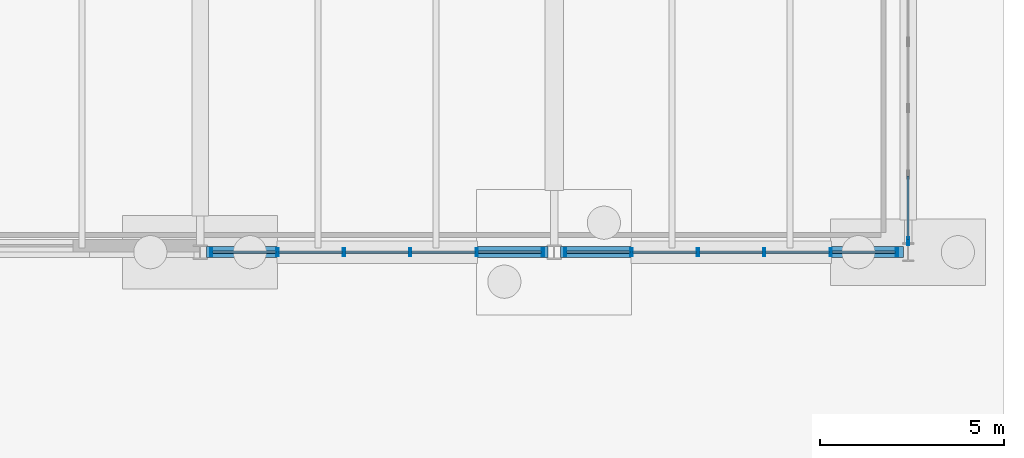
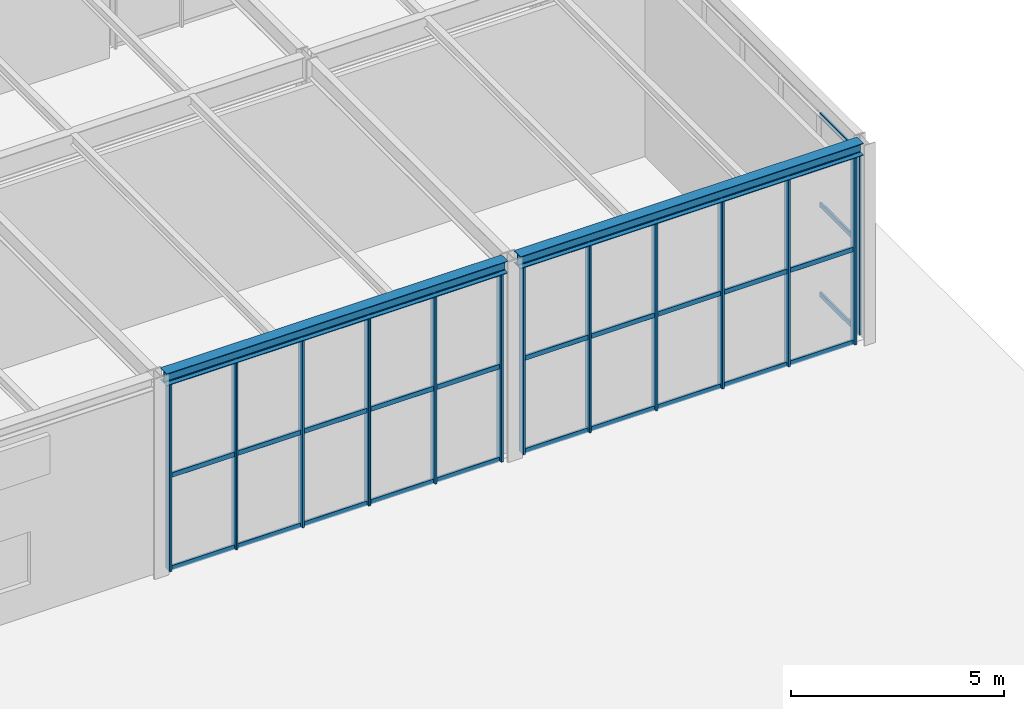
# One storey, part 95 of 142: 46 members, 2 beams, 3 elements without a shape of their own.
"""IFC4 building model written with IfcOpenShell, lengths in metres."""

from ifc_helpers import new_model, si_unit, direction, frame, origin, origin_2d, place, context, subcontext, project, spatial, hollow_rectangle, i_section, extrude, material, material_profile, profile_set, type_object, element, aggregate, save


model = new_model("IFC4")

# Units and contexts
model_context = context("Model", 3, precision=1e-05, world=origin(), true_north=direction((0.0, 1.0)))
body_context = subcontext(model_context, "Body", "Model", "MODEL_VIEW")
ifc_project = project(units=[si_unit("LENGTHUNIT", "METRE"), si_unit("AREAUNIT", "SQUARE_METRE"), si_unit("VOLUMEUNIT", "CUBIC_METRE"), si_unit("PLANEANGLEUNIT", "RADIAN"), si_unit("MASSUNIT", "GRAM", prefix="KILO")], contexts=[model_context])

# Site, building, storey
site_placement = place(None, origin())
site = spatial("IfcSite", under=ifc_project, at=site_placement, CompositionType="ELEMENT")
building_placement = place(site_placement, origin())
building = spatial("IfcBuilding", under=site, at=building_placement, Name="Coralgate Yard Interchange", CompositionType="ELEMENT")
storey_placement = place(building_placement, origin())
storey = spatial("IfcBuildingStorey", under=building, at=storey_placement, Name="L00", CompositionType="ELEMENT", Elevation=0.0)

# Beams
ifc_material_1 = material(Name="Structural steel S355J2", Category="steel")
ifc_material_profile_1 = material_profile(ifc_material_1, i_section(OverallWidth=0.300048828125, OverallDepth=0.35009765625, WebThickness=0.010009765625, FlangeThickness=0.017578125, FilletRadius=0.027099609375, at=origin_2d()), Name="HEA 360")
ifc_profile_set_1 = profile_set([ifc_material_profile_1], Name="Structural steel S355J2")
beam_type = type_object("IfcBeamType", Name="BM-SP-1", PredefinedType="SPANDREL", material=ifc_profile_set_1)
beam_1_placement = place(storey_placement, frame((163.369384765625, 76.800048828125, 5.574951171875), z_axis=(1.0, 0.0, 0.0), x_axis=(0.0, 1.0, 0.0)))
element("IfcBeam", 1, at=beam_1_placement, inside=storey, type_object=beam_type, Name="L00 primary grid beam Y8 X17-18", PredefinedType="SPANDREL", context=body_context, shape_type="SweptSolid", body=[
    extrude(i_section(OverallWidth=0.300048828125, OverallDepth=0.35009765625, WebThickness=0.010009765625, FlangeThickness=0.017578125, FilletRadius=0.027099609375, at=origin_2d()), origin(), (0.0, 0.0, 1.0), 9.26123046875),
])
beam_2_placement = place(storey_placement, frame((172.969482421875, 76.800048828125, 5.574951171875), z_axis=(1.0, 0.0, 0.0), x_axis=(0.0, 1.0, 0.0)))
element("IfcBeam", 2, at=beam_2_placement, inside=storey, type_object=beam_type, Name="L00 primary grid beam Y8 X18-19", PredefinedType="SPANDREL", context=body_context, shape_type="SweptSolid", body=[
    extrude(i_section(OverallWidth=0.300048828125, OverallDepth=0.35009765625, WebThickness=0.010009765625, FlangeThickness=0.017578125, FilletRadius=0.027099609375, at=origin_2d()), origin(), (0.0, 0.0, 1.0), 9.310546875),
])

# Curtain wall, members
ifc_material_2 = material(Name="Anodised coastal aluminium and solar-control low-E glass", Category="aluminium")
curtain_wall_type_1 = type_object("IfcCurtainWallType", Name="CW-CW-L00-B", PredefinedType="NOTDEFINED", material=ifc_material_2)
curtain_wall_1_placement = place(storey_placement, origin())
curtain_wall_1 = element("IfcCurtainWall", 3, at=curtain_wall_1_placement, inside=storey, type_object=curtain_wall_type_1, Name="L00 unitised curtain wall CW-L00-S-17-08", PredefinedType="NOTDEFINED")
ifc_material_3 = material(Name="Anodised coastal aluminium 6063-T6", Category="aluminium")
ifc_material_profile_2 = material_profile(ifc_material_3, hollow_rectangle(XDim=0.06005859375, YDim=0.219970703125, WallThickness=0.00390625, InnerFilletRadius=0.00390625, OuterFilletRadius=0.008056640625, at=origin_2d()), Name="ALU 60x220x4")
ifc_profile_set_2 = profile_set([ifc_material_profile_2], Name="Anodised coastal aluminium 6063-T6")
member_type_1 = type_object("IfcMemberType", Name="MB-MUL-220", PredefinedType="MULLION", material=ifc_profile_set_2)
member_1_placement = place(storey_placement, frame((172.5, 76.800048828125, 0.0), z_axis=(0.0, 0.0, 1.0), x_axis=(1.0, 0.0, 0.0)))
member_1 = element("IfcMember", 4, at=member_1_placement, type_object=member_type_1, Name="CW-L00-S-17-08 vertical mullion 1", PredefinedType="MULLION", context=body_context, shape_type="SweptSolid", body=[
    extrude(hollow_rectangle(XDim=0.06005859375, YDim=0.219970703125, WallThickness=0.00390625, InnerFilletRadius=0.00390625, OuterFilletRadius=0.008056640625, at=origin_2d()), origin(), (0.0, 0.0, 1.0), 5.39990234375),
])
member_2_placement = place(storey_placement, frame((170.699951171875, 76.800048828125, 0.0), z_axis=(0.0, 0.0, 1.0), x_axis=(1.0, 0.0, 0.0)))
member_2 = element("IfcMember", 5, at=member_2_placement, type_object=member_type_1, Name="CW-L00-S-17-08 vertical mullion 2", PredefinedType="MULLION", context=body_context, shape_type="SweptSolid", body=[
    extrude(hollow_rectangle(XDim=0.06005859375, YDim=0.219970703125, WallThickness=0.00390625, InnerFilletRadius=0.00390625, OuterFilletRadius=0.008056640625, at=origin_2d()), origin(), (0.0, 0.0, 1.0), 5.39990234375),
])
member_3_placement = place(storey_placement, frame((168.89990234375, 76.800048828125, 0.0), z_axis=(0.0, 0.0, 1.0), x_axis=(1.0, 0.0, 0.0)))
member_3 = element("IfcMember", 6, at=member_3_placement, type_object=member_type_1, Name="CW-L00-S-17-08 vertical mullion 3", PredefinedType="MULLION", context=body_context, shape_type="SweptSolid", body=[
    extrude(hollow_rectangle(XDim=0.06005859375, YDim=0.219970703125, WallThickness=0.00390625, InnerFilletRadius=0.00390625, OuterFilletRadius=0.008056640625, at=origin_2d()), origin(), (0.0, 0.0, 1.0), 5.39990234375),
])
member_4_placement = place(storey_placement, frame((167.10009765625, 76.800048828125, 0.0), z_axis=(0.0, 0.0, 1.0), x_axis=(1.0, 0.0, 0.0)))
member_4 = element("IfcMember", 7, at=member_4_placement, type_object=member_type_1, Name="CW-L00-S-17-08 vertical mullion 4", PredefinedType="MULLION", context=body_context, shape_type="SweptSolid", body=[
    extrude(hollow_rectangle(XDim=0.06005859375, YDim=0.219970703125, WallThickness=0.00390625, InnerFilletRadius=0.00390625, OuterFilletRadius=0.008056640625, at=origin_2d()), origin(), (0.0, 0.0, 1.0), 5.39990234375),
])
member_5_placement = place(storey_placement, frame((165.300048828125, 76.800048828125, 0.0), z_axis=(0.0, 0.0, 1.0), x_axis=(1.0, 0.0, 0.0)))
member_5 = element("IfcMember", 8, at=member_5_placement, type_object=member_type_1, Name="CW-L00-S-17-08 vertical mullion 5", PredefinedType="MULLION", context=body_context, shape_type="SweptSolid", body=[
    extrude(hollow_rectangle(XDim=0.06005859375, YDim=0.219970703125, WallThickness=0.00390625, InnerFilletRadius=0.00390625, OuterFilletRadius=0.008056640625, at=origin_2d()), origin(), (0.0, 0.0, 1.0), 5.39990234375),
])
member_6_placement = place(storey_placement, frame((163.5, 76.800048828125, 0.0), z_axis=(0.0, 0.0, 1.0), x_axis=(1.0, 0.0, 0.0)))
member_6 = element("IfcMember", 9, at=member_6_placement, type_object=member_type_1, Name="CW-L00-S-17-08 vertical mullion 6", PredefinedType="MULLION", context=body_context, shape_type="SweptSolid", body=[
    extrude(hollow_rectangle(XDim=0.06005859375, YDim=0.219970703125, WallThickness=0.00390625, InnerFilletRadius=0.00390625, OuterFilletRadius=0.008056640625, at=origin_2d()), origin(), (0.0, 0.0, 1.0), 5.39990234375),
])

curtain_wall_type_2 = type_object("IfcCurtainWallType", Name="CW-CW-L00-A", PredefinedType="NOTDEFINED", material=ifc_material_2)
curtain_wall_2_placement = place(storey_placement, origin())
curtain_wall_2 = element("IfcCurtainWall", 10, at=curtain_wall_2_placement, inside=storey, type_object=curtain_wall_type_2, Name="L00 unitised curtain wall CW-L00-S-18-08", PredefinedType="NOTDEFINED")
member_7_placement = place(storey_placement, frame((182.10009765625, 76.800048828125, 0.0), z_axis=(0.0, 0.0, 1.0), x_axis=(1.0, 0.0, 0.0)))
member_7 = element("IfcMember", 11, at=member_7_placement, type_object=member_type_1, Name="CW-L00-S-18-08 vertical mullion 1", PredefinedType="MULLION", context=body_context, shape_type="SweptSolid", body=[
    extrude(hollow_rectangle(XDim=0.06005859375, YDim=0.219970703125, WallThickness=0.00390625, InnerFilletRadius=0.00390625, OuterFilletRadius=0.008056640625, at=origin_2d()), origin(), (0.0, 0.0, 1.0), 5.39990234375),
])
member_8_placement = place(storey_placement, frame((180.300048828125, 76.800048828125, 0.0), z_axis=(0.0, 0.0, 1.0), x_axis=(1.0, 0.0, 0.0)))
member_8 = element("IfcMember", 12, at=member_8_placement, type_object=member_type_1, Name="CW-L00-S-18-08 vertical mullion 2", PredefinedType="MULLION", context=body_context, shape_type="SweptSolid", body=[
    extrude(hollow_rectangle(XDim=0.06005859375, YDim=0.219970703125, WallThickness=0.00390625, InnerFilletRadius=0.00390625, OuterFilletRadius=0.008056640625, at=origin_2d()), origin(), (0.0, 0.0, 1.0), 5.39990234375),
])
member_9_placement = place(storey_placement, frame((178.5, 76.800048828125, 0.0), z_axis=(0.0, 0.0, 1.0), x_axis=(1.0, 0.0, 0.0)))
member_9 = element("IfcMember", 13, at=member_9_placement, type_object=member_type_1, Name="CW-L00-S-18-08 vertical mullion 3", PredefinedType="MULLION", context=body_context, shape_type="SweptSolid", body=[
    extrude(hollow_rectangle(XDim=0.06005859375, YDim=0.219970703125, WallThickness=0.00390625, InnerFilletRadius=0.00390625, OuterFilletRadius=0.008056640625, at=origin_2d()), origin(), (0.0, 0.0, 1.0), 5.39990234375),
])
member_10_placement = place(storey_placement, frame((176.699951171875, 76.800048828125, 0.0), z_axis=(0.0, 0.0, 1.0), x_axis=(1.0, 0.0, 0.0)))
member_10 = element("IfcMember", 14, at=member_10_placement, type_object=member_type_1, Name="CW-L00-S-18-08 vertical mullion 4", PredefinedType="MULLION", context=body_context, shape_type="SweptSolid", body=[
    extrude(hollow_rectangle(XDim=0.06005859375, YDim=0.219970703125, WallThickness=0.00390625, InnerFilletRadius=0.00390625, OuterFilletRadius=0.008056640625, at=origin_2d()), origin(), (0.0, 0.0, 1.0), 5.39990234375),
])
member_11_placement = place(storey_placement, frame((174.89990234375, 76.800048828125, 0.0), z_axis=(0.0, 0.0, 1.0), x_axis=(1.0, 0.0, 0.0)))
member_11 = element("IfcMember", 15, at=member_11_placement, type_object=member_type_1, Name="CW-L00-S-18-08 vertical mullion 5", PredefinedType="MULLION", context=body_context, shape_type="SweptSolid", body=[
    extrude(hollow_rectangle(XDim=0.06005859375, YDim=0.219970703125, WallThickness=0.00390625, InnerFilletRadius=0.00390625, OuterFilletRadius=0.008056640625, at=origin_2d()), origin(), (0.0, 0.0, 1.0), 5.39990234375),
])
member_12_placement = place(storey_placement, frame((173.10009765625, 76.800048828125, 0.0), z_axis=(0.0, 0.0, 1.0), x_axis=(1.0, 0.0, 0.0)))
member_12 = element("IfcMember", 16, at=member_12_placement, type_object=member_type_1, Name="CW-L00-S-18-08 vertical mullion 6", PredefinedType="MULLION", context=body_context, shape_type="SweptSolid", body=[
    extrude(hollow_rectangle(XDim=0.06005859375, YDim=0.219970703125, WallThickness=0.00390625, InnerFilletRadius=0.00390625, OuterFilletRadius=0.008056640625, at=origin_2d()), origin(), (0.0, 0.0, 1.0), 5.39990234375),
])

# Curtain wall, member
curtain_wall_3_placement = place(storey_placement, origin())
curtain_wall_3 = element("IfcCurtainWall", 17, at=curtain_wall_3_placement, inside=storey, type_object=curtain_wall_type_1, Name="L00 unitised curtain wall CW-L00-E-18-08", PredefinedType="NOTDEFINED")
member_13_placement = place(storey_placement, frame((182.39990234375, 77.10009765625, 0.0), z_axis=(0.0, 0.0, 1.0), x_axis=(1.0, 0.0, 0.0)))
member_13 = element("IfcMember", 18, at=member_13_placement, type_object=member_type_1, Name="CW-L00-E-18-08 vertical mullion 6", PredefinedType="MULLION", context=body_context, shape_type="SweptSolid", body=[
    extrude(hollow_rectangle(XDim=0.06005859375, YDim=0.219970703125, WallThickness=0.00390625, InnerFilletRadius=0.00390625, OuterFilletRadius=0.008056640625, at=origin_2d()), origin(), (0.0, 0.0, 1.0), 5.216796875),
])

# Member
ifc_material_profile_3 = material_profile(ifc_material_3, hollow_rectangle(XDim=0.06005859375, YDim=0.139892578125, WallThickness=0.00341796875, InnerFilletRadius=0.00341796875, OuterFilletRadius=0.007080078125, at=origin_2d()), Name="ALU 60x140x3.5")
ifc_profile_set_3 = profile_set([ifc_material_profile_3], Name="Anodised coastal aluminium 6063-T6")
member_type_2 = type_object("IfcMemberType", Name="MB-TRN-140", PredefinedType="USERDEFINED", material=ifc_profile_set_3)
member_14_placement = place(storey_placement, frame((172.469970703125, 76.800048828125, 0.034912109375), z_axis=(-1.0, 0.0, 0.0), x_axis=(0.0, -1.0, 0.0)))
member_14 = element("IfcMember", 19, at=member_14_placement, type_object=member_type_2, Name="CW-L00-S-17-08 horizontal transom 1-1", ObjectType="TRANSOM", PredefinedType="USERDEFINED", context=body_context, shape_type="SweptSolid", body=[
    extrude(hollow_rectangle(XDim=0.06005859375, YDim=0.139892578125, WallThickness=0.00341796875, InnerFilletRadius=0.00341796875, OuterFilletRadius=0.007080078125, at=origin_2d()), origin(), (0.0, 0.0, 1.0), 1.739990234375),
])

member_15_placement = place(storey_placement, frame((172.469970703125, 76.800048828125, 2.699951171875), z_axis=(-1.0, 0.0, 0.0), x_axis=(0.0, -1.0, 0.0)))
member_15 = element("IfcMember", 20, at=member_15_placement, type_object=member_type_2, Name="CW-L00-S-17-08 horizontal transom 1-2", ObjectType="TRANSOM", PredefinedType="USERDEFINED", context=body_context, shape_type="SweptSolid", body=[
    extrude(hollow_rectangle(XDim=0.06005859375, YDim=0.139892578125, WallThickness=0.00341796875, InnerFilletRadius=0.00341796875, OuterFilletRadius=0.007080078125, at=origin_2d()), origin(), (0.0, 0.0, 1.0), 1.739990234375),
])

member_16_placement = place(storey_placement, frame((172.469970703125, 76.800048828125, 5.364990234375), z_axis=(-1.0, 0.0, 0.0), x_axis=(0.0, -1.0, 0.0)))
member_16 = element("IfcMember", 21, at=member_16_placement, type_object=member_type_2, Name="CW-L00-S-17-08 horizontal transom 1-3", ObjectType="TRANSOM", PredefinedType="USERDEFINED", context=body_context, shape_type="SweptSolid", body=[
    extrude(hollow_rectangle(XDim=0.06005859375, YDim=0.139892578125, WallThickness=0.00341796875, InnerFilletRadius=0.00341796875, OuterFilletRadius=0.007080078125, at=origin_2d()), origin(), (0.0, 0.0, 1.0), 1.739990234375),
])

member_17_placement = place(storey_placement, frame((170.669921875, 76.800048828125, 0.034912109375), z_axis=(-1.0, 0.0, 0.0), x_axis=(0.0, -1.0, 0.0)))
member_17 = element("IfcMember", 22, at=member_17_placement, type_object=member_type_2, Name="CW-L00-S-17-08 horizontal transom 2-1", ObjectType="TRANSOM", PredefinedType="USERDEFINED", context=body_context, shape_type="SweptSolid", body=[
    extrude(hollow_rectangle(XDim=0.06005859375, YDim=0.139892578125, WallThickness=0.00341796875, InnerFilletRadius=0.00341796875, OuterFilletRadius=0.007080078125, at=origin_2d()), origin(), (0.0, 0.0, 1.0), 1.739990234375),
])

member_18_placement = place(storey_placement, frame((170.669921875, 76.800048828125, 2.699951171875), z_axis=(-1.0, 0.0, 0.0), x_axis=(0.0, -1.0, 0.0)))
member_18 = element("IfcMember", 23, at=member_18_placement, type_object=member_type_2, Name="CW-L00-S-17-08 horizontal transom 2-2", ObjectType="TRANSOM", PredefinedType="USERDEFINED", context=body_context, shape_type="SweptSolid", body=[
    extrude(hollow_rectangle(XDim=0.06005859375, YDim=0.139892578125, WallThickness=0.00341796875, InnerFilletRadius=0.00341796875, OuterFilletRadius=0.007080078125, at=origin_2d()), origin(), (0.0, 0.0, 1.0), 1.739990234375),
])

member_19_placement = place(storey_placement, frame((170.669921875, 76.800048828125, 5.364990234375), z_axis=(-1.0, 0.0, 0.0), x_axis=(0.0, -1.0, 0.0)))
member_19 = element("IfcMember", 24, at=member_19_placement, type_object=member_type_2, Name="CW-L00-S-17-08 horizontal transom 2-3", ObjectType="TRANSOM", PredefinedType="USERDEFINED", context=body_context, shape_type="SweptSolid", body=[
    extrude(hollow_rectangle(XDim=0.06005859375, YDim=0.139892578125, WallThickness=0.00341796875, InnerFilletRadius=0.00341796875, OuterFilletRadius=0.007080078125, at=origin_2d()), origin(), (0.0, 0.0, 1.0), 1.739990234375),
])

member_20_placement = place(storey_placement, frame((168.8701171875, 76.800048828125, 0.034912109375), z_axis=(-1.0, 0.0, 0.0), x_axis=(0.0, -1.0, 0.0)))
member_20 = element("IfcMember", 25, at=member_20_placement, type_object=member_type_2, Name="CW-L00-S-17-08 horizontal transom 3-1", ObjectType="TRANSOM", PredefinedType="USERDEFINED", context=body_context, shape_type="SweptSolid", body=[
    extrude(hollow_rectangle(XDim=0.06005859375, YDim=0.139892578125, WallThickness=0.00341796875, InnerFilletRadius=0.00341796875, OuterFilletRadius=0.007080078125, at=origin_2d()), origin(), (0.0, 0.0, 1.0), 1.740234375),
])

member_21_placement = place(storey_placement, frame((168.8701171875, 76.800048828125, 2.699951171875), z_axis=(-1.0, 0.0, 0.0), x_axis=(0.0, -1.0, 0.0)))
member_21 = element("IfcMember", 26, at=member_21_placement, type_object=member_type_2, Name="CW-L00-S-17-08 horizontal transom 3-2", ObjectType="TRANSOM", PredefinedType="USERDEFINED", context=body_context, shape_type="SweptSolid", body=[
    extrude(hollow_rectangle(XDim=0.06005859375, YDim=0.139892578125, WallThickness=0.00341796875, InnerFilletRadius=0.00341796875, OuterFilletRadius=0.007080078125, at=origin_2d()), origin(), (0.0, 0.0, 1.0), 1.740234375),
])

member_22_placement = place(storey_placement, frame((168.8701171875, 76.800048828125, 5.364990234375), z_axis=(-1.0, 0.0, 0.0), x_axis=(0.0, -1.0, 0.0)))
member_22 = element("IfcMember", 27, at=member_22_placement, type_object=member_type_2, Name="CW-L00-S-17-08 horizontal transom 3-3", ObjectType="TRANSOM", PredefinedType="USERDEFINED", context=body_context, shape_type="SweptSolid", body=[
    extrude(hollow_rectangle(XDim=0.06005859375, YDim=0.139892578125, WallThickness=0.00341796875, InnerFilletRadius=0.00341796875, OuterFilletRadius=0.007080078125, at=origin_2d()), origin(), (0.0, 0.0, 1.0), 1.740234375),
])

member_23_placement = place(storey_placement, frame((167.070068359375, 76.800048828125, 0.034912109375), z_axis=(-1.0, 0.0, 0.0), x_axis=(0.0, -1.0, 0.0)))
member_23 = element("IfcMember", 28, at=member_23_placement, type_object=member_type_2, Name="CW-L00-S-17-08 horizontal transom 4-1", ObjectType="TRANSOM", PredefinedType="USERDEFINED", context=body_context, shape_type="SweptSolid", body=[
    extrude(hollow_rectangle(XDim=0.06005859375, YDim=0.139892578125, WallThickness=0.00341796875, InnerFilletRadius=0.00341796875, OuterFilletRadius=0.007080078125, at=origin_2d()), origin(), (0.0, 0.0, 1.0), 1.739990234375),
])

member_24_placement = place(storey_placement, frame((167.070068359375, 76.800048828125, 2.699951171875), z_axis=(-1.0, 0.0, 0.0), x_axis=(0.0, -1.0, 0.0)))
member_24 = element("IfcMember", 29, at=member_24_placement, type_object=member_type_2, Name="CW-L00-S-17-08 horizontal transom 4-2", ObjectType="TRANSOM", PredefinedType="USERDEFINED", context=body_context, shape_type="SweptSolid", body=[
    extrude(hollow_rectangle(XDim=0.06005859375, YDim=0.139892578125, WallThickness=0.00341796875, InnerFilletRadius=0.00341796875, OuterFilletRadius=0.007080078125, at=origin_2d()), origin(), (0.0, 0.0, 1.0), 1.739990234375),
])

member_25_placement = place(storey_placement, frame((167.070068359375, 76.800048828125, 5.364990234375), z_axis=(-1.0, 0.0, 0.0), x_axis=(0.0, -1.0, 0.0)))
member_25 = element("IfcMember", 30, at=member_25_placement, type_object=member_type_2, Name="CW-L00-S-17-08 horizontal transom 4-3", ObjectType="TRANSOM", PredefinedType="USERDEFINED", context=body_context, shape_type="SweptSolid", body=[
    extrude(hollow_rectangle(XDim=0.06005859375, YDim=0.139892578125, WallThickness=0.00341796875, InnerFilletRadius=0.00341796875, OuterFilletRadius=0.007080078125, at=origin_2d()), origin(), (0.0, 0.0, 1.0), 1.739990234375),
])

member_26_placement = place(storey_placement, frame((165.27001953125, 76.800048828125, 0.034912109375), z_axis=(-1.0, 0.0, 0.0), x_axis=(0.0, -1.0, 0.0)))
member_26 = element("IfcMember", 31, at=member_26_placement, type_object=member_type_2, Name="CW-L00-S-17-08 horizontal transom 5-1", ObjectType="TRANSOM", PredefinedType="USERDEFINED", context=body_context, shape_type="SweptSolid", body=[
    extrude(hollow_rectangle(XDim=0.06005859375, YDim=0.139892578125, WallThickness=0.00341796875, InnerFilletRadius=0.00341796875, OuterFilletRadius=0.007080078125, at=origin_2d()), origin(), (0.0, 0.0, 1.0), 1.739990234375),
])

member_27_placement = place(storey_placement, frame((165.27001953125, 76.800048828125, 2.699951171875), z_axis=(-1.0, 0.0, 0.0), x_axis=(0.0, -1.0, 0.0)))
member_27 = element("IfcMember", 32, at=member_27_placement, type_object=member_type_2, Name="CW-L00-S-17-08 horizontal transom 5-2", ObjectType="TRANSOM", PredefinedType="USERDEFINED", context=body_context, shape_type="SweptSolid", body=[
    extrude(hollow_rectangle(XDim=0.06005859375, YDim=0.139892578125, WallThickness=0.00341796875, InnerFilletRadius=0.00341796875, OuterFilletRadius=0.007080078125, at=origin_2d()), origin(), (0.0, 0.0, 1.0), 1.739990234375),
])

member_28_placement = place(storey_placement, frame((165.27001953125, 76.800048828125, 5.364990234375), z_axis=(-1.0, 0.0, 0.0), x_axis=(0.0, -1.0, 0.0)))
member_28 = element("IfcMember", 33, at=member_28_placement, type_object=member_type_2, Name="CW-L00-S-17-08 horizontal transom 5-3", ObjectType="TRANSOM", PredefinedType="USERDEFINED", context=body_context, shape_type="SweptSolid", body=[
    extrude(hollow_rectangle(XDim=0.06005859375, YDim=0.139892578125, WallThickness=0.00341796875, InnerFilletRadius=0.00341796875, OuterFilletRadius=0.007080078125, at=origin_2d()), origin(), (0.0, 0.0, 1.0), 1.739990234375),
])

aggregate(curtain_wall_1, [member_1, member_2, member_3, member_4, member_5, member_6, member_14, member_15, member_16, member_17, member_18, member_19, member_20, member_21, member_22, member_23, member_24, member_25, member_26, member_27, member_28])

member_29_placement = place(storey_placement, frame((182.070068359375, 76.800048828125, 0.034912109375), z_axis=(-1.0, 0.0, 0.0), x_axis=(0.0, -1.0, 0.0)))
member_29 = element("IfcMember", 34, at=member_29_placement, type_object=member_type_2, Name="CW-L00-S-18-08 horizontal transom 1-1", ObjectType="TRANSOM", PredefinedType="USERDEFINED", context=body_context, shape_type="SweptSolid", body=[
    extrude(hollow_rectangle(XDim=0.06005859375, YDim=0.139892578125, WallThickness=0.00341796875, InnerFilletRadius=0.00341796875, OuterFilletRadius=0.007080078125, at=origin_2d()), origin(), (0.0, 0.0, 1.0), 1.739990234375),
])

member_30_placement = place(storey_placement, frame((182.070068359375, 76.800048828125, 2.699951171875), z_axis=(-1.0, 0.0, 0.0), x_axis=(0.0, -1.0, 0.0)))
member_30 = element("IfcMember", 35, at=member_30_placement, type_object=member_type_2, Name="CW-L00-S-18-08 horizontal transom 1-2", ObjectType="TRANSOM", PredefinedType="USERDEFINED", context=body_context, shape_type="SweptSolid", body=[
    extrude(hollow_rectangle(XDim=0.06005859375, YDim=0.139892578125, WallThickness=0.00341796875, InnerFilletRadius=0.00341796875, OuterFilletRadius=0.007080078125, at=origin_2d()), origin(), (0.0, 0.0, 1.0), 1.739990234375),
])

member_31_placement = place(storey_placement, frame((182.070068359375, 76.800048828125, 5.364990234375), z_axis=(-1.0, 0.0, 0.0), x_axis=(0.0, -1.0, 0.0)))
member_31 = element("IfcMember", 36, at=member_31_placement, type_object=member_type_2, Name="CW-L00-S-18-08 horizontal transom 1-3", ObjectType="TRANSOM", PredefinedType="USERDEFINED", context=body_context, shape_type="SweptSolid", body=[
    extrude(hollow_rectangle(XDim=0.06005859375, YDim=0.139892578125, WallThickness=0.00341796875, InnerFilletRadius=0.00341796875, OuterFilletRadius=0.007080078125, at=origin_2d()), origin(), (0.0, 0.0, 1.0), 1.739990234375),
])

member_32_placement = place(storey_placement, frame((180.27001953125, 76.800048828125, 0.034912109375), z_axis=(-1.0, 0.0, 0.0), x_axis=(0.0, -1.0, 0.0)))
member_32 = element("IfcMember", 37, at=member_32_placement, type_object=member_type_2, Name="CW-L00-S-18-08 horizontal transom 2-1", ObjectType="TRANSOM", PredefinedType="USERDEFINED", context=body_context, shape_type="SweptSolid", body=[
    extrude(hollow_rectangle(XDim=0.06005859375, YDim=0.139892578125, WallThickness=0.00341796875, InnerFilletRadius=0.00341796875, OuterFilletRadius=0.007080078125, at=origin_2d()), origin(), (0.0, 0.0, 1.0), 1.739990234375),
])

member_33_placement = place(storey_placement, frame((180.27001953125, 76.800048828125, 2.699951171875), z_axis=(-1.0, 0.0, 0.0), x_axis=(0.0, -1.0, 0.0)))
member_33 = element("IfcMember", 38, at=member_33_placement, type_object=member_type_2, Name="CW-L00-S-18-08 horizontal transom 2-2", ObjectType="TRANSOM", PredefinedType="USERDEFINED", context=body_context, shape_type="SweptSolid", body=[
    extrude(hollow_rectangle(XDim=0.06005859375, YDim=0.139892578125, WallThickness=0.00341796875, InnerFilletRadius=0.00341796875, OuterFilletRadius=0.007080078125, at=origin_2d()), origin(), (0.0, 0.0, 1.0), 1.739990234375),
])

member_34_placement = place(storey_placement, frame((180.27001953125, 76.800048828125, 5.364990234375), z_axis=(-1.0, 0.0, 0.0), x_axis=(0.0, -1.0, 0.0)))
member_34 = element("IfcMember", 39, at=member_34_placement, type_object=member_type_2, Name="CW-L00-S-18-08 horizontal transom 2-3", ObjectType="TRANSOM", PredefinedType="USERDEFINED", context=body_context, shape_type="SweptSolid", body=[
    extrude(hollow_rectangle(XDim=0.06005859375, YDim=0.139892578125, WallThickness=0.00341796875, InnerFilletRadius=0.00341796875, OuterFilletRadius=0.007080078125, at=origin_2d()), origin(), (0.0, 0.0, 1.0), 1.739990234375),
])

member_35_placement = place(storey_placement, frame((178.469970703125, 76.800048828125, 0.034912109375), z_axis=(-1.0, 0.0, 0.0), x_axis=(0.0, -1.0, 0.0)))
member_35 = element("IfcMember", 40, at=member_35_placement, type_object=member_type_2, Name="CW-L00-S-18-08 horizontal transom 3-1", ObjectType="TRANSOM", PredefinedType="USERDEFINED", context=body_context, shape_type="SweptSolid", body=[
    extrude(hollow_rectangle(XDim=0.06005859375, YDim=0.139892578125, WallThickness=0.00341796875, InnerFilletRadius=0.00341796875, OuterFilletRadius=0.007080078125, at=origin_2d()), origin(), (0.0, 0.0, 1.0), 1.739990234375),
])

member_36_placement = place(storey_placement, frame((178.469970703125, 76.800048828125, 2.699951171875), z_axis=(-1.0, 0.0, 0.0), x_axis=(0.0, -1.0, 0.0)))
member_36 = element("IfcMember", 41, at=member_36_placement, type_object=member_type_2, Name="CW-L00-S-18-08 horizontal transom 3-2", ObjectType="TRANSOM", PredefinedType="USERDEFINED", context=body_context, shape_type="SweptSolid", body=[
    extrude(hollow_rectangle(XDim=0.06005859375, YDim=0.139892578125, WallThickness=0.00341796875, InnerFilletRadius=0.00341796875, OuterFilletRadius=0.007080078125, at=origin_2d()), origin(), (0.0, 0.0, 1.0), 1.739990234375),
])

member_37_placement = place(storey_placement, frame((178.469970703125, 76.800048828125, 5.364990234375), z_axis=(-1.0, 0.0, 0.0), x_axis=(0.0, -1.0, 0.0)))
member_37 = element("IfcMember", 42, at=member_37_placement, type_object=member_type_2, Name="CW-L00-S-18-08 horizontal transom 3-3", ObjectType="TRANSOM", PredefinedType="USERDEFINED", context=body_context, shape_type="SweptSolid", body=[
    extrude(hollow_rectangle(XDim=0.06005859375, YDim=0.139892578125, WallThickness=0.00341796875, InnerFilletRadius=0.00341796875, OuterFilletRadius=0.007080078125, at=origin_2d()), origin(), (0.0, 0.0, 1.0), 1.739990234375),
])

member_38_placement = place(storey_placement, frame((176.669921875, 76.800048828125, 0.034912109375), z_axis=(-1.0, 0.0, 0.0), x_axis=(0.0, -1.0, 0.0)))
member_38 = element("IfcMember", 43, at=member_38_placement, type_object=member_type_2, Name="CW-L00-S-18-08 horizontal transom 4-1", ObjectType="TRANSOM", PredefinedType="USERDEFINED", context=body_context, shape_type="SweptSolid", body=[
    extrude(hollow_rectangle(XDim=0.06005859375, YDim=0.139892578125, WallThickness=0.00341796875, InnerFilletRadius=0.00341796875, OuterFilletRadius=0.007080078125, at=origin_2d()), origin(), (0.0, 0.0, 1.0), 1.739990234375),
])

member_39_placement = place(storey_placement, frame((176.669921875, 76.800048828125, 2.699951171875), z_axis=(-1.0, 0.0, 0.0), x_axis=(0.0, -1.0, 0.0)))
member_39 = element("IfcMember", 44, at=member_39_placement, type_object=member_type_2, Name="CW-L00-S-18-08 horizontal transom 4-2", ObjectType="TRANSOM", PredefinedType="USERDEFINED", context=body_context, shape_type="SweptSolid", body=[
    extrude(hollow_rectangle(XDim=0.06005859375, YDim=0.139892578125, WallThickness=0.00341796875, InnerFilletRadius=0.00341796875, OuterFilletRadius=0.007080078125, at=origin_2d()), origin(), (0.0, 0.0, 1.0), 1.739990234375),
])

member_40_placement = place(storey_placement, frame((176.669921875, 76.800048828125, 5.364990234375), z_axis=(-1.0, 0.0, 0.0), x_axis=(0.0, -1.0, 0.0)))
member_40 = element("IfcMember", 45, at=member_40_placement, type_object=member_type_2, Name="CW-L00-S-18-08 horizontal transom 4-3", ObjectType="TRANSOM", PredefinedType="USERDEFINED", context=body_context, shape_type="SweptSolid", body=[
    extrude(hollow_rectangle(XDim=0.06005859375, YDim=0.139892578125, WallThickness=0.00341796875, InnerFilletRadius=0.00341796875, OuterFilletRadius=0.007080078125, at=origin_2d()), origin(), (0.0, 0.0, 1.0), 1.739990234375),
])

member_41_placement = place(storey_placement, frame((174.8701171875, 76.800048828125, 0.034912109375), z_axis=(-1.0, 0.0, 0.0), x_axis=(0.0, -1.0, 0.0)))
member_41 = element("IfcMember", 46, at=member_41_placement, type_object=member_type_2, Name="CW-L00-S-18-08 horizontal transom 5-1", ObjectType="TRANSOM", PredefinedType="USERDEFINED", context=body_context, shape_type="SweptSolid", body=[
    extrude(hollow_rectangle(XDim=0.06005859375, YDim=0.139892578125, WallThickness=0.00341796875, InnerFilletRadius=0.00341796875, OuterFilletRadius=0.007080078125, at=origin_2d()), origin(), (0.0, 0.0, 1.0), 1.740234375),
])

member_42_placement = place(storey_placement, frame((174.8701171875, 76.800048828125, 2.699951171875), z_axis=(-1.0, 0.0, 0.0), x_axis=(0.0, -1.0, 0.0)))
member_42 = element("IfcMember", 47, at=member_42_placement, type_object=member_type_2, Name="CW-L00-S-18-08 horizontal transom 5-2", ObjectType="TRANSOM", PredefinedType="USERDEFINED", context=body_context, shape_type="SweptSolid", body=[
    extrude(hollow_rectangle(XDim=0.06005859375, YDim=0.139892578125, WallThickness=0.00341796875, InnerFilletRadius=0.00341796875, OuterFilletRadius=0.007080078125, at=origin_2d()), origin(), (0.0, 0.0, 1.0), 1.740234375),
])

member_43_placement = place(storey_placement, frame((174.8701171875, 76.800048828125, 5.364990234375), z_axis=(-1.0, 0.0, 0.0), x_axis=(0.0, -1.0, 0.0)))
member_43 = element("IfcMember", 48, at=member_43_placement, type_object=member_type_2, Name="CW-L00-S-18-08 horizontal transom 5-3", ObjectType="TRANSOM", PredefinedType="USERDEFINED", context=body_context, shape_type="SweptSolid", body=[
    extrude(hollow_rectangle(XDim=0.06005859375, YDim=0.139892578125, WallThickness=0.00341796875, InnerFilletRadius=0.00341796875, OuterFilletRadius=0.007080078125, at=origin_2d()), origin(), (0.0, 0.0, 1.0), 1.740234375),
])

aggregate(curtain_wall_2, [member_7, member_8, member_9, member_10, member_11, member_12, member_29, member_30, member_31, member_32, member_33, member_34, member_35, member_36, member_37, member_38, member_39, member_40, member_41, member_42, member_43])

member_44_placement = place(storey_placement, frame((182.39990234375, 78.8701171875, 0.034912109375), z_axis=(0.0, -1.0, 0.0), x_axis=(1.0, 0.0, 0.0)))
member_44 = element("IfcMember", 49, at=member_44_placement, type_object=member_type_2, Name="CW-L00-E-18-08 horizontal transom 5-1", ObjectType="TRANSOM", PredefinedType="USERDEFINED", context=body_context, shape_type="SweptSolid", body=[
    extrude(hollow_rectangle(XDim=0.06005859375, YDim=0.139892578125, WallThickness=0.00341796875, InnerFilletRadius=0.00341796875, OuterFilletRadius=0.007080078125, at=origin_2d()), origin(), (0.0, 0.0, 1.0), 1.740234375),
])

member_45_placement = place(storey_placement, frame((182.39990234375, 78.8701171875, 2.6083984375), z_axis=(0.0, -1.0, 0.0), x_axis=(1.0, 0.0, 0.0)))
member_45 = element("IfcMember", 50, at=member_45_placement, type_object=member_type_2, Name="CW-L00-E-18-08 horizontal transom 5-2", ObjectType="TRANSOM", PredefinedType="USERDEFINED", context=body_context, shape_type="SweptSolid", body=[
    extrude(hollow_rectangle(XDim=0.06005859375, YDim=0.139892578125, WallThickness=0.00341796875, InnerFilletRadius=0.00341796875, OuterFilletRadius=0.007080078125, at=origin_2d()), origin(), (0.0, 0.0, 1.0), 1.740234375),
])

member_46_placement = place(storey_placement, frame((182.39990234375, 78.8701171875, 5.181884765625), z_axis=(0.0, -1.0, 0.0), x_axis=(1.0, 0.0, 0.0)))
member_46 = element("IfcMember", 51, at=member_46_placement, type_object=member_type_2, Name="CW-L00-E-18-08 horizontal transom 5-3", ObjectType="TRANSOM", PredefinedType="USERDEFINED", context=body_context, shape_type="SweptSolid", body=[
    extrude(hollow_rectangle(XDim=0.06005859375, YDim=0.139892578125, WallThickness=0.00341796875, InnerFilletRadius=0.00341796875, OuterFilletRadius=0.007080078125, at=origin_2d()), origin(), (0.0, 0.0, 1.0), 1.740234375),
])

aggregate(curtain_wall_3, [member_13, member_44, member_45, member_46])

save(model, "model.ifc")
